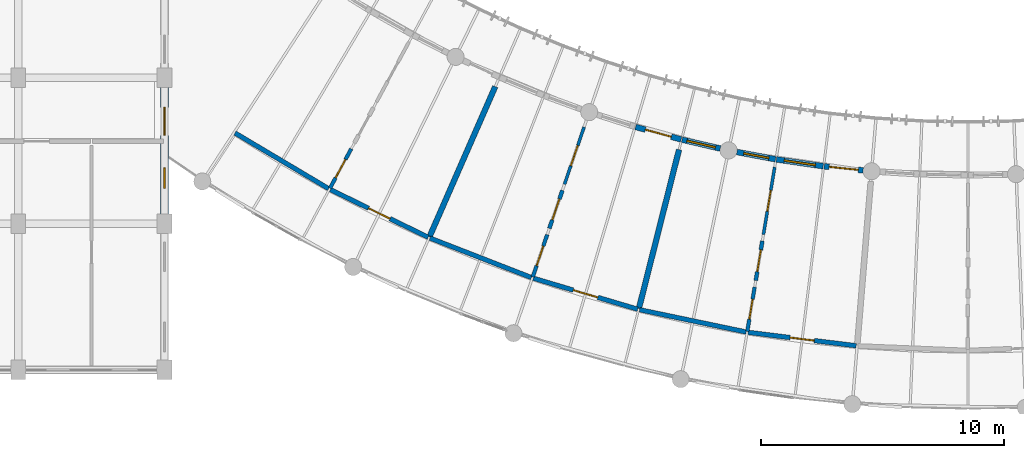
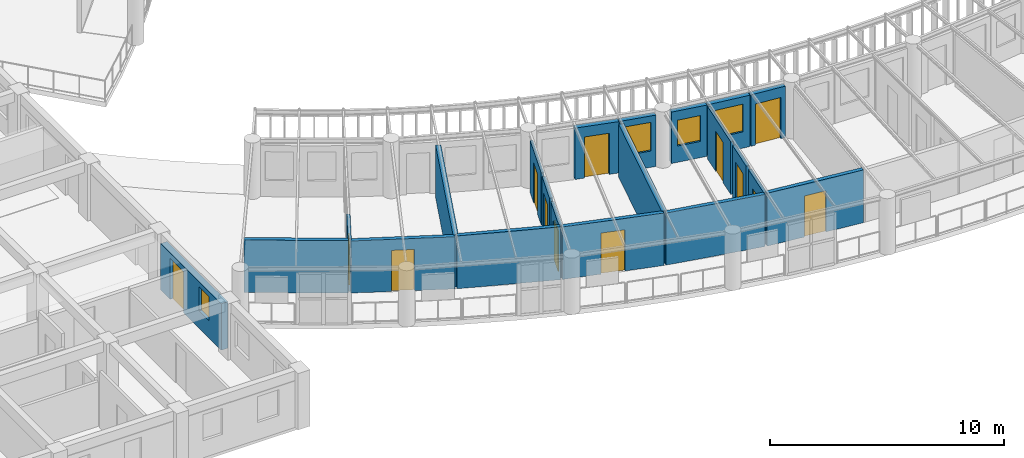
# One storey, part 89 of 137: 21 walls, 13 doors, 4 windows, 17 openings.
"""IFC4 building model written with IfcOpenShell, lengths in metres."""

from ifc_helpers import new_model, si_unit, direction, frame, frame_2d, origin, place, context, subcontext, project, spatial, rectangle, extrude, material, layer, layer_set, type_object, element, fill, save


model = new_model("IFC4")

# Units and contexts
model_context = context("Model", 3, precision=1e-05, world=origin(), true_north=direction((0.0, 1.0)))
body_context = subcontext(model_context, "Body", "Model", "MODEL_VIEW")
ifc_project = project(units=[si_unit("LENGTHUNIT", "METRE"), si_unit("AREAUNIT", "SQUARE_METRE"), si_unit("VOLUMEUNIT", "CUBIC_METRE"), si_unit("PLANEANGLEUNIT", "RADIAN"), si_unit("MASSUNIT", "GRAM", prefix="KILO"), si_unit("POWERUNIT", "WATT"), si_unit("THERMODYNAMICTEMPERATUREUNIT", "KELVIN")], contexts=[model_context])

# Site, building, storey
site_placement = place(None, origin())
site = spatial("IfcSite", under=ifc_project, at=site_placement, CompositionType="ELEMENT")
building_placement = place(site_placement, origin())
building = spatial("IfcBuilding", under=site, at=building_placement, Name="Ruvembo Vaulted Housing Court", CompositionType="ELEMENT")
storey_placement = place(building_placement, frame((0.0, 0.0, 4.5)))
storey = spatial("IfcBuildingStorey", under=building, at=storey_placement, Name="L01", CompositionType="ELEMENT", Elevation=4.5)

# Wall
ifc_material_1 = material(Name="Concrete Blockwork 190", Category="masonry")
ifc_layer_1 = layer(ifc_material_1, 0.18994140625, Name="Concrete Blockwork 190")
ifc_layer_set_1 = layer_set([ifc_layer_1], Name="Concrete Blockwork 190")
wall_type_1 = type_object("IfcWallType", Name="WL-CORR-190", PredefinedType="SOLIDWALL", material=ifc_layer_set_1)
wall_1_placement = place(storey_placement, frame((38.89697265625, 15.732666015625, 0.0), z_axis=(0.0, 0.0, 1.0), x_axis=(0.859614290038, -0.510943511909, 0.0)))
element("IfcWall", 1, at=wall_1_placement, inside=storey, type_object=wall_type_1, Name="L01 Suite SC2-L01-U1 Gallery Wall WL-INT-L01-00399", PredefinedType="SOLIDWALL", context=body_context, shape_type="SweptSolid", body=[
    extrude(rectangle(XDim=4.472900390625, YDim=0.18994140625, at=frame_2d((2.236328125, 0.0))), origin(), (0.0, 0.0, 1.0), 2.741943359375),
])

# Wall, opening, door
wall_2_placement = place(storey_placement, frame((42.8125, 13.4091796875, 0.0), z_axis=(0.0, 0.0, 1.0), x_axis=(0.898794149603, -0.438370934985, 0.0)))
wall_2 = element("IfcWall", 2, at=wall_2_placement, inside=storey, type_object=wall_type_1, Name="L01 Suite SC2-L01-U1 Entrance WL-INT-L01-00400", PredefinedType="SOLIDWALL", context=body_context, shape_type="SweptSolid", body=[
    extrude(rectangle(XDim=4.47265625, YDim=0.18994140625, at=frame_2d((2.236328125, 0.0))), origin(), (0.0, 0.0, 1.0), 2.721923828125),
])
opening_1_placement = place(wall_2_placement, frame((1.74658203125, 0.0, 0.0)))
opening_1 = element("IfcOpeningElement", 3, at=opening_1_placement, cuts=wall_2, Name="Opening FD2", PredefinedType="OPENING", context=body_context, shape_type="SweptSolid", body=[
    extrude(rectangle(XDim=0.97998046875, YDim=2.14990234375, at=frame_2d((0.489990234375, 1.074951171875))), frame((0.0, 0.10498046875, 0.0), z_axis=(0.0, -1.0, 0.0), x_axis=(1.0, 0.0, 0.0)), (0.0, 0.0, 1.0), 0.2099609375),
])
ifc_material_2 = material(Name="FSC Hardwood and Engineered Timber", Category="wood")
door_type_1 = type_object("IfcDoorType", Name="DR-FLAT-0980x2150", OperationType="NOTDEFINED", PredefinedType="DOOR", material=ifc_material_2)
door_1_placement = place(opening_1_placement, origin())
door_1 = element("IfcDoor", 4, at=door_1_placement, inside=storey, type_object=door_type_1, Name="L01 Suite SC2-L01-U1 Entrance Door DR-INT-L01-00208", OperationType="SINGLE_SWING_RIGHT", OverallHeight=2.14990234375, OverallWidth=0.97998046875, PredefinedType="DOOR", context=body_context, shape_type="SweptSolid", body=[
    extrude(rectangle(XDim=0.97998046875, YDim=2.14990234375, at=frame_2d((0.489990234375, 1.074951171875))), frame((0.0, 0.02490234375, 0.0), z_axis=(0.0, -1.0, 0.0), x_axis=(1.0, 0.0, 0.0)), (0.0, 0.0, 1.0), 0.050048828125),
])
fill(opening_1, door_1)

# Wall
wall_3_placement = place(storey_placement, frame((46.906005859375, 11.41650390625, 0.0), z_axis=(0.0, 0.0, 1.0), x_axis=(0.931847867525, -0.362849213571, 0.0)))
element("IfcWall", 5, at=wall_3_placement, inside=storey, type_object=wall_type_1, Name="L01 Suite SC2-L01-U2 Gallery Wall WL-INT-L01-00405", PredefinedType="SOLIDWALL", context=body_context, shape_type="SweptSolid", body=[
    extrude(rectangle(XDim=4.47314453125, YDim=0.18994140625, at=frame_2d((2.236572265625, 0.0))), origin(), (0.0, 0.0, 1.0), 2.761962890625),
])

# Wall, opening, door
wall_4_placement = place(storey_placement, frame((51.14990234375, 9.767578125, 0.0), z_axis=(0.0, 0.0, 1.0), x_axis=(0.958602413557, -0.28474798107, 0.0)))
wall_4 = element("IfcWall", 6, at=wall_4_placement, inside=storey, type_object=wall_type_1, Name="L01 Suite SC2-L01-U2 Entrance WL-INT-L01-00406", PredefinedType="SOLIDWALL", context=body_context, shape_type="SweptSolid", body=[
    extrude(rectangle(XDim=4.472900390625, YDim=0.18994140625, at=frame_2d((2.236328125, 0.0))), origin(), (0.0, 0.0, 1.0), 2.741943359375),
])
opening_2_placement = place(wall_4_placement, frame((1.71142578125, 0.0, 0.0)))
opening_2 = element("IfcOpeningElement", 7, at=opening_2_placement, cuts=wall_4, Name="Opening FD3", PredefinedType="OPENING", context=body_context, shape_type="SweptSolid", body=[
    extrude(rectangle(XDim=1.050048828125, YDim=2.14990234375, at=frame_2d((0.52490234375, 1.074951171875))), frame((0.0, 0.10498046875, 0.0), z_axis=(0.0, -1.0, 0.0), x_axis=(1.0, 0.0, 0.0)), (0.0, 0.0, 1.0), 0.2099609375),
])
door_type_2 = type_object("IfcDoorType", Name="DR-FLAT-1050x2150", OperationType="NOTDEFINED", PredefinedType="DOOR", material=ifc_material_2)
door_2_placement = place(opening_2_placement, origin())
door_2 = element("IfcDoor", 8, at=door_2_placement, inside=storey, type_object=door_type_2, Name="L01 Suite SC2-L01-U2 Entrance Door DR-INT-L01-00212", OperationType="SINGLE_SWING_RIGHT", OverallHeight=2.14990234375, OverallWidth=1.050048828125, PredefinedType="DOOR", context=body_context, shape_type="SweptSolid", body=[
    extrude(rectangle(XDim=1.050048828125, YDim=2.14990234375, at=frame_2d((0.52490234375, 1.074951171875))), frame((0.0, 0.02490234375, 0.0), z_axis=(0.0, -1.0, 0.0), x_axis=(1.0, 0.0, 0.0)), (0.0, 0.0, 1.0), 0.050048828125),
])
fill(opening_2, door_2)

# Wall
wall_5_placement = place(storey_placement, frame((55.51513671875, 8.47412109375, 0.0), z_axis=(0.0, 0.0, 1.0), x_axis=(0.978806148413, -0.204788973894, 0.0)))
element("IfcWall", 9, at=wall_5_placement, inside=storey, type_object=wall_type_1, Name="L01 Suite SC2-L01-U3 Gallery Wall WL-INT-L01-00411", PredefinedType="SOLIDWALL", context=body_context, shape_type="SweptSolid", body=[
    extrude(rectangle(XDim=4.472900390625, YDim=0.18994140625, at=frame_2d((2.236328125, 0.0))), origin(), (0.0, 0.0, 1.0), 2.721923828125),
])

# Wall, opening, door
wall_6_placement = place(storey_placement, frame((59.97216796875, 7.544921875, 0.0), z_axis=(0.0, 0.0, 1.0), x_axis=(0.992349920368, -0.123457019023, 0.0)))
wall_6 = element("IfcWall", 10, at=wall_6_placement, inside=storey, type_object=wall_type_1, Name="L01 Suite SC2-L01-U3 Entrance WL-INT-L01-00412", PredefinedType="SOLIDWALL", context=body_context, shape_type="SweptSolid", body=[
    extrude(rectangle(XDim=4.47314453125, YDim=0.18994140625, at=frame_2d((2.236572265625, 0.0))), origin(), (0.0, 0.0, 1.0), 2.761962890625),
])
opening_3_placement = place(wall_6_placement, frame((1.736572265625, 0.0, 0.0)))
opening_3 = element("IfcOpeningElement", 11, at=opening_3_placement, cuts=wall_6, Name="Opening FD1", PredefinedType="OPENING", context=body_context, shape_type="SweptSolid", body=[
    extrude(rectangle(XDim=1.0, YDim=2.14990234375, at=frame_2d((0.5, 1.074951171875))), frame((0.0, 0.10498046875, 0.0), z_axis=(0.0, -1.0, 0.0), x_axis=(1.0, 0.0, 0.0)), (0.0, 0.0, 1.0), 0.2099609375),
])
door_type_3 = type_object("IfcDoorType", Name="DR-FLAT-1000x2150", OperationType="NOTDEFINED", PredefinedType="DOOR", material=ifc_material_2)
door_3_placement = place(opening_3_placement, origin())
door_3 = element("IfcDoor", 12, at=door_3_placement, inside=storey, type_object=door_type_3, Name="L01 Suite SC2-L01-U3 Entrance Door DR-INT-L01-00216", OperationType="SINGLE_SWING_RIGHT", OverallHeight=2.14990234375, OverallWidth=1.0, PredefinedType="DOOR", context=body_context, shape_type="SweptSolid", body=[
    extrude(rectangle(XDim=1.0, YDim=2.14990234375, at=frame_2d((0.5, 1.074951171875))), frame((0.0, 0.02490234375, 0.0), z_axis=(0.0, -1.0, 0.0), x_axis=(1.0, 0.0, 0.0)), (0.0, 0.0, 1.0), 0.050048828125),
])
fill(opening_3, door_3)

# Walls
ifc_material_3 = material(Name="Acoustic Masonry Demising 230", Category="masonry")
ifc_layer_2 = layer(ifc_material_3, 0.22998046875, Name="Acoustic Masonry Demising 230")
ifc_layer_set_2 = layer_set([ifc_layer_2], Name="Acoustic Masonry Demising 230")
wall_type_2 = type_object("IfcWallType", Name="WL-DEM-230", PredefinedType="SOLIDWALL", material=ifc_layer_set_2)
wall_7_placement = place(storey_placement, frame((49.585205078125, 17.638427734375, 0.0), z_axis=(0.0, 0.0, 1.0), x_axis=(-0.400932910895, -0.916107417807, 0.0)))
element("IfcWall", 13, at=wall_7_placement, inside=storey, type_object=wall_type_2, Name="L01 Suite SC2-L01-U1 Demising WL-INT-L01-00404", PredefinedType="SOLIDWALL", context=body_context, shape_type="SweptSolid", body=[
    extrude(rectangle(XDim=6.736083984375, YDim=0.22998046875, at=frame_2d((3.3681640625, 0.0))), origin(), (0.0, 0.0, 1.0), 2.741943359375),
])
wall_8_placement = place(storey_placement, frame((57.135986328125, 15.0517578125, 0.0), z_axis=(0.0, 0.0, 1.0), x_axis=(-0.244982481903, -0.969527505314, 0.0)))
element("IfcWall", 14, at=wall_8_placement, inside=storey, type_object=wall_type_2, Name="L01 Suite SC2-L01-U2 Demising WL-INT-L01-00410", PredefinedType="SOLIDWALL", context=body_context, shape_type="SweptSolid", body=[
    extrude(rectangle(XDim=6.73583984375, YDim=0.22998046875, at=frame_2d((3.367919921875, 0.0))), origin(), (0.0, 0.0, 1.0), 2.761962890625),
])

# Wall, opening, door
ifc_material_4 = material(Name="Rendered Masonry 235", Category="masonry")
ifc_layer_3 = layer(ifc_material_4, 0.235107421875, Name="Rendered Masonry 235")
ifc_layer_set_3 = layer_set([ifc_layer_3], Name="Rendered Masonry 235")
wall_type_3 = type_object("IfcWallType", Name="WL-EXT-235", PredefinedType="STANDARD", material=ifc_layer_set_3)
wall_9_placement = place(storey_placement, frame((55.35009765625, 15.982177734375, 0.0), z_axis=(0.0, 0.0, 1.0), x_axis=(0.964271323293, -0.264916619098, 0.0)))
wall_9 = element("IfcWall", 15, at=wall_9_placement, inside=storey, type_object=wall_type_3, Name="Scoop SC2 L01 Concave Balcony Wall 7", PredefinedType="STANDARD", context=body_context, shape_type="SweptSolid", body=[
    extrude(rectangle(XDim=1.93994140625, YDim=0.235107421875, at=frame_2d((0.969970703125, 0.0))), origin(), (0.0, 0.0, 1.0), 2.68408203125),
])
opening_4_placement = place(wall_9_placement, frame((0.419921875, 0.0, 0.0)))
opening_4 = element("IfcOpeningElement", 16, at=opening_4_placement, cuts=wall_9, Name="Opening BD3", PredefinedType="OPENING", context=body_context, shape_type="SweptSolid", body=[
    extrude(rectangle(XDim=1.10009765625, YDim=2.14990234375, at=frame_2d((0.550048828125, 1.074951171875))), frame((0.0, 0.12744140625, 0.0), z_axis=(0.0, -1.0, 0.0), x_axis=(1.0, 0.0, 0.0)), (0.0, 0.0, 1.0), 0.255126953125),
])
ifc_material_5 = material(Name="Thermally Broken Glazed Aluminium", Category="aluminium")
door_type_4 = type_object("IfcDoorType", Name="DR-BAL-1100x2150", OperationType="NOTDEFINED", PredefinedType="DOOR", material=ifc_material_5)
door_4_placement = place(opening_4_placement, origin())
door_4 = element("IfcDoor", 17, at=door_4_placement, inside=storey, type_object=door_type_4, Name="Scoop SC2 L01 Balcony Door 7", OperationType="SINGLE_SWING_LEFT", OverallHeight=2.14990234375, OverallWidth=1.10009765625, PredefinedType="DOOR", context=body_context, shape_type="SweptSolid", body=[
    extrude(rectangle(XDim=1.10009765625, YDim=2.14990234375, at=frame_2d((0.550048828125, 1.074951171875))), frame((0.0, 0.02490234375, 0.0), z_axis=(0.0, -1.0, 0.0), x_axis=(1.0, 0.0, 0.0)), (0.0, 0.0, 1.0), 0.050048828125),
])
fill(opening_4, door_4)

# Wall, opening, window
wall_10_placement = place(storey_placement, frame((57.259521484375, 15.45849609375, 0.0), z_axis=(0.0, 0.0, 1.0), x_axis=(0.974355406192, -0.225014538249, 0.0)))
wall_10 = element("IfcWall", 18, at=wall_10_placement, inside=storey, type_object=wall_type_3, Name="Scoop SC2 L01 Concave Balcony Wall 8", PredefinedType="STANDARD", context=body_context, shape_type="SweptSolid", body=[
    extrude(rectangle(XDim=1.610107421875, YDim=0.235107421875, at=frame_2d((0.80517578125, 0.0))), origin(), (0.0, 0.0, 1.0), 2.68408203125),
])
opening_5_placement = place(wall_10_placement, frame((0.205078125, 0.0, 0.85009765625)))
opening_5 = element("IfcOpeningElement", 19, at=opening_5_placement, cuts=wall_10, Name="Opening W14", PredefinedType="OPENING", context=body_context, shape_type="SweptSolid", body=[
    extrude(rectangle(XDim=1.199951171875, YDim=1.5, at=frame_2d((0.60009765625, 0.75))), frame((0.0, 0.12744140625, 0.0), z_axis=(0.0, -1.0, 0.0), x_axis=(1.0, 0.0, 0.0)), (0.0, 0.0, 1.0), 0.255126953125),
])
ifc_material_6 = material(Name="Double Solar-Control Glazing in Aluminium Frame", Category="aluminium")
window_type_1 = type_object("IfcWindowType", Name="WIN-1200x1500", PartitioningType="SINGLE_PANEL", PredefinedType="WINDOW", material=ifc_material_6)
window_1_placement = place(opening_5_placement, origin())
window_1 = element("IfcWindow", 20, at=window_1_placement, inside=storey, type_object=window_type_1, Name="Scoop SC2 L01 Concave Window 8", OverallHeight=1.5, OverallWidth=1.199951171875, PartitioningType="SINGLE_PANEL", PredefinedType="WINDOW", context=body_context, shape_type="SweptSolid", body=[
    extrude(rectangle(XDim=1.199951171875, YDim=1.5, at=frame_2d((0.60009765625, 0.75))), frame((0.0, 0.030029296875, 0.0), z_axis=(0.0, -1.0, 0.0), x_axis=(1.0, 0.0, 0.0)), (0.0, 0.0, 1.0), 0.06005859375),
])
fill(opening_5, window_1)

wall_11_placement = place(storey_placement, frame((59.51318359375, 14.952880859375, 0.0), z_axis=(0.0, 0.0, 1.0), x_axis=(0.982827529128, -0.184526550902, 0.0)))
wall_11 = element("IfcWall", 21, at=wall_11_placement, inside=storey, type_object=wall_type_3, Name="Scoop SC2 L01 Concave Balcony Wall 9", PredefinedType="STANDARD", context=body_context, shape_type="SweptSolid", body=[
    extrude(rectangle(XDim=1.610107421875, YDim=0.235107421875, at=frame_2d((0.80517578125, 0.0))), origin(), (0.0, 0.0, 1.0), 2.68408203125),
])
opening_6_placement = place(wall_11_placement, frame((0.280029296875, 0.0, 0.85009765625)))
opening_6 = element("IfcOpeningElement", 22, at=opening_6_placement, cuts=wall_11, Name="Opening W09", PredefinedType="OPENING", context=body_context, shape_type="SweptSolid", body=[
    extrude(rectangle(XDim=1.050048828125, YDim=1.35009765625, at=frame_2d((0.52490234375, 0.675048828125))), frame((0.0, 0.12744140625, 0.0), z_axis=(0.0, -1.0, 0.0), x_axis=(1.0, 0.0, 0.0)), (0.0, 0.0, 1.0), 0.255126953125),
])
window_type_2 = type_object("IfcWindowType", Name="WIN-1050x1350", PartitioningType="SINGLE_PANEL", PredefinedType="WINDOW", material=ifc_material_6)
window_2_placement = place(opening_6_placement, origin())
window_2 = element("IfcWindow", 23, at=window_2_placement, inside=storey, type_object=window_type_2, Name="Scoop SC2 L01 Concave Window 9", OverallHeight=1.35009765625, OverallWidth=1.050048828125, PartitioningType="SINGLE_PANEL", PredefinedType="WINDOW", context=body_context, shape_type="SweptSolid", body=[
    extrude(rectangle(XDim=1.050048828125, YDim=1.35009765625, at=frame_2d((0.52490234375, 0.675048828125))), frame((0.0, 0.030029296875, 0.0), z_axis=(0.0, -1.0, 0.0), x_axis=(1.0, 0.0, 0.0)), (0.0, 0.0, 1.0), 0.06005859375),
])
fill(opening_6, window_2)

wall_12_placement = place(storey_placement, frame((61.135009765625, 14.649169921875, 0.0), z_axis=(0.0, 0.0, 1.0), x_axis=(0.989601751146, -0.14383453733, 0.0)))
wall_12 = element("IfcWall", 24, at=wall_12_placement, inside=storey, type_object=wall_type_3, Name="Scoop SC2 L01 Concave Balcony Wall 10", PredefinedType="STANDARD", context=body_context, shape_type="SweptSolid", body=[
    extrude(rectangle(XDim=1.940185546875, YDim=0.235107421875, at=frame_2d((0.97021484375, 0.0))), origin(), (0.0, 0.0, 1.0), 2.68408203125),
])
opening_7_placement = place(wall_12_placement, frame((0.320068359375, 0.0, 0.85009765625)))
opening_7 = element("IfcOpeningElement", 25, at=opening_7_placement, cuts=wall_12, Name="Opening W15", PredefinedType="OPENING", context=body_context, shape_type="SweptSolid", body=[
    extrude(rectangle(XDim=1.300048828125, YDim=1.449951171875, at=frame_2d((0.64990234375, 0.72509765625))), frame((0.0, 0.12744140625, 0.0), z_axis=(0.0, -1.0, 0.0), x_axis=(1.0, 0.0, 0.0)), (0.0, 0.0, 1.0), 0.255126953125),
])
window_type_3 = type_object("IfcWindowType", Name="WIN-1300x1450", PartitioningType="SINGLE_PANEL", PredefinedType="WINDOW", material=ifc_material_6)
window_3_placement = place(opening_7_placement, origin())
window_3 = element("IfcWindow", 26, at=window_3_placement, inside=storey, type_object=window_type_3, Name="Scoop SC2 L01 Concave Window 10", OverallHeight=1.449951171875, OverallWidth=1.300048828125, PartitioningType="SINGLE_PANEL", PredefinedType="WINDOW", context=body_context, shape_type="SweptSolid", body=[
    extrude(rectangle(XDim=1.300048828125, YDim=1.449951171875, at=frame_2d((0.64990234375, 0.72509765625))), frame((0.0, 0.030029296875, 0.0), z_axis=(0.0, -1.0, 0.0), x_axis=(1.0, 0.0, 0.0)), (0.0, 0.0, 1.0), 0.06005859375),
])
fill(opening_7, window_3)

# Wall, opening, door
wall_13_placement = place(storey_placement, frame((63.094482421875, 14.364990234375, 0.0), z_axis=(0.0, 0.0, 1.0), x_axis=(0.994685905428, -0.10295605637, 0.0)))
wall_13 = element("IfcWall", 27, at=wall_13_placement, inside=storey, type_object=wall_type_3, Name="Scoop SC2 L01 Concave Balcony Wall 11", PredefinedType="STANDARD", context=body_context, shape_type="SweptSolid", body=[
    extrude(rectangle(XDim=1.610107421875, YDim=0.235107421875, at=frame_2d((0.80517578125, 0.0))), origin(), (0.0, 0.0, 1.0), 2.68408203125),
])
opening_8_placement = place(wall_13_placement, frame((0.205078125, 0.0, 0.0)))
opening_8 = element("IfcOpeningElement", 28, at=opening_8_placement, cuts=wall_13, Name="Opening BD2", PredefinedType="OPENING", context=body_context, shape_type="SweptSolid", body=[
    extrude(rectangle(XDim=1.199951171875, YDim=2.14990234375, at=frame_2d((0.60009765625, 1.074951171875))), frame((0.0, 0.12744140625, 0.0), z_axis=(0.0, -1.0, 0.0), x_axis=(1.0, 0.0, 0.0)), (0.0, 0.0, 1.0), 0.255126953125),
])
door_type_5 = type_object("IfcDoorType", Name="DR-BAL-1200x2150", OperationType="NOTDEFINED", PredefinedType="DOOR", material=ifc_material_5)
door_5_placement = place(opening_8_placement, origin())
door_5 = element("IfcDoor", 29, at=door_5_placement, inside=storey, type_object=door_type_5, Name="Scoop SC2 L01 Balcony Door 11", OperationType="SINGLE_SWING_RIGHT", OverallHeight=2.14990234375, OverallWidth=1.199951171875, PredefinedType="DOOR", context=body_context, shape_type="SweptSolid", body=[
    extrude(rectangle(XDim=1.199951171875, YDim=2.14990234375, at=frame_2d((0.60009765625, 1.074951171875))), frame((0.0, 0.02490234375, 0.0), z_axis=(0.0, -1.0, 0.0), x_axis=(1.0, 0.0, 0.0)), (0.0, 0.0, 1.0), 0.050048828125),
])
fill(opening_8, door_5)

# Wall, openings, door, window
ifc_material_7 = material(Name="Rendered Masonry 320", Category="masonry")
ifc_layer_4 = layer(ifc_material_7, 0.320068359375, Name="Rendered Masonry 320")
ifc_layer_set_4 = layer_set([ifc_layer_4], Name="Rendered Masonry 320")
wall_type_4 = type_object("IfcWallType", Name="WL-EXT-320", PredefinedType="STANDARD", material=ifc_layer_set_4)
wall_14_placement = place(storey_placement, frame((36.0, 12.39990234375, 0.0), z_axis=(0.0, 0.0, 1.0), x_axis=(0.0, 1.0, 0.0)))
wall_14 = element("IfcWall", 30, at=wall_14_placement, inside=storey, type_object=wall_type_4, Name="Block A L01 Exterior Wall EAST #2", PredefinedType="STANDARD", context=body_context, shape_type="SweptSolid", body=[
    extrude(rectangle(XDim=5.2001953125, YDim=0.320068359375, at=frame_2d((2.60009765625, 0.0))), origin(), (0.0, 0.0, 1.0), 2.427001953125),
])
opening_9_placement = place(wall_14_placement, frame((3.239990234375, 0.0, 0.0)))
opening_9 = element("IfcOpeningElement", 31, at=opening_9_placement, cuts=wall_14, Name="Opening GD1", PredefinedType="OPENING", context=body_context, shape_type="SweptSolid", body=[
    extrude(rectangle(XDim=1.14990234375, YDim=2.14990234375, at=frame_2d((0.574951171875, 1.074951171875))), frame((0.0, 0.169921875, 0.0), z_axis=(0.0, -1.0, 0.0), x_axis=(1.0, 0.0, 0.0)), (0.0, 0.0, 1.0), 0.340087890625),
])
opening_10_placement = place(wall_14_placement, frame((1.054931640625, 0.0, 0.89990234375)))
opening_10 = element("IfcOpeningElement", 32, at=opening_10_placement, cuts=wall_14, Name="Opening W03", PredefinedType="OPENING", context=body_context, shape_type="SweptSolid", body=[
    extrude(rectangle(XDim=0.85009765625, YDim=1.25, at=frame_2d((0.425048828125, 0.625))), frame((0.0, 0.169921875, 0.0), z_axis=(0.0, -1.0, 0.0), x_axis=(1.0, 0.0, 0.0)), (0.0, 0.0, 1.0), 0.340087890625),
])
door_type_6 = type_object("IfcDoorType", Name="DR-GAL-1150x2150", OperationType="NOTDEFINED", PredefinedType="DOOR", material=ifc_material_5)
door_6_placement = place(opening_9_placement, frame((1.14990234375, 0.0, 0.0), z_axis=(0.0, 0.0, 1.0), x_axis=(-1.0, 0.0, 0.0)))
door_6 = element("IfcDoor", 33, at=door_6_placement, inside=storey, type_object=door_type_6, Name="Block A L01 Terrace or Gallery Door DR-TER-A-L01-003", OperationType="SINGLE_SWING_RIGHT", OverallHeight=2.14990234375, OverallWidth=1.14990234375, PredefinedType="DOOR", context=body_context, shape_type="SweptSolid", body=[
    extrude(rectangle(XDim=1.14990234375, YDim=2.14990234375, at=frame_2d((0.574951171875, 1.074951171875))), frame((0.0, 0.02490234375, 0.0), z_axis=(0.0, -1.0, 0.0), x_axis=(1.0, 0.0, 0.0)), (0.0, 0.0, 1.0), 0.050048828125),
])
fill(opening_9, door_6)
window_type_4 = type_object("IfcWindowType", Name="WIN-0850x1250", PartitioningType="SINGLE_PANEL", PredefinedType="WINDOW", material=ifc_material_6)
window_4_placement = place(opening_10_placement, origin())
window_4 = element("IfcWindow", 34, at=window_4_placement, inside=storey, type_object=window_type_4, Name="Block A L01 Window #55", OverallHeight=1.25, OverallWidth=0.85009765625, PartitioningType="SINGLE_PANEL", PredefinedType="WINDOW", context=body_context, shape_type="SweptSolid", body=[
    extrude(rectangle(XDim=0.85009765625, YDim=1.25, at=frame_2d((0.425048828125, 0.625))), frame((0.0, 0.030029296875, 0.0), z_axis=(0.0, -1.0, 0.0), x_axis=(1.0, 0.0, 0.0)), (0.0, 0.0, 1.0), 0.06005859375),
])
fill(opening_10, window_4)

# Wall, opening, door
ifc_material_8 = material(Name="Plasterboard Stud Partition 125", Category="gypsum")
ifc_layer_5 = layer(ifc_material_8, 0.125, Name="Plasterboard Stud Partition 125")
ifc_layer_set_5 = layer_set([ifc_layer_5], Name="Plasterboard Stud Partition 125")
wall_type_5 = type_object("IfcWallType", Name="WL-PART-125", PredefinedType="PARTITIONING", material=ifc_layer_set_5)
wall_15_placement = place(storey_placement, frame((53.23486328125, 15.977294921875, 0.0), z_axis=(0.0, 0.0, 1.0), x_axis=(-0.324072633759, -0.946032202437, 0.0)))
wall_15 = element("IfcWall", 35, at=wall_15_placement, inside=storey, type_object=wall_type_5, Name="L01 Suite SC2-L01-U2 Bedroom WL-INT-L01-00407", PredefinedType="PARTITIONING", context=body_context, shape_type="SweptSolid", body=[
    extrude(rectangle(XDim=2.47998046875, YDim=0.125, at=frame_2d((1.239990234375, 0.0))), origin(), (0.0, 0.0, 1.0), 2.721923828125),
])
opening_11_placement = place(wall_15_placement, frame((0.800048828125, 0.0, 0.0)))
opening_11 = element("IfcOpeningElement", 36, at=opening_11_placement, cuts=wall_15, Name="Opening ID3", PredefinedType="OPENING", context=body_context, shape_type="SweptSolid", body=[
    extrude(rectangle(XDim=0.8798828125, YDim=2.10009765625, at=frame_2d((0.43994140625, 1.050048828125))), frame((0.0, 0.072509765625, 0.0), z_axis=(0.0, -1.0, 0.0), x_axis=(1.0, 0.0, 0.0)), (0.0, 0.0, 1.0), 0.14501953125),
])
door_type_7 = type_object("IfcDoorType", Name="DR-ROOM-0880x2100", OperationType="NOTDEFINED", PredefinedType="DOOR", material=ifc_material_2)
door_7_placement = place(opening_11_placement, origin())
door_7 = element("IfcDoor", 37, at=door_7_placement, inside=storey, type_object=door_type_7, Name="L01 Suite SC2-L01-U2 Bedroom Door DR-INT-L01-00213", OperationType="SINGLE_SWING_LEFT", OverallHeight=2.10009765625, OverallWidth=0.8798828125, PredefinedType="DOOR", context=body_context, shape_type="SweptSolid", body=[
    extrude(rectangle(XDim=0.8798828125, YDim=2.10009765625, at=frame_2d((0.43994140625, 1.050048828125))), frame((0.0, 0.02490234375, 0.0), z_axis=(0.0, -1.0, 0.0), x_axis=(1.0, 0.0, 0.0)), (0.0, 0.0, 1.0), 0.050048828125),
])
fill(opening_11, door_7)

wall_16_placement = place(storey_placement, frame((61.061279296875, 14.328369140625, 0.0), z_axis=(0.0, 0.0, 1.0), x_axis=(-0.164186889233, -0.986429250075, 0.0)))
wall_16 = element("IfcWall", 38, at=wall_16_placement, inside=storey, type_object=wall_type_5, Name="L01 Suite SC2-L01-U3 Bedroom WL-INT-L01-00413", PredefinedType="PARTITIONING", context=body_context, shape_type="SweptSolid", body=[
    extrude(rectangle(XDim=2.800048828125, YDim=0.125, at=frame_2d((1.39990234375, 0.0))), origin(), (0.0, 0.0, 1.0), 2.741943359375),
])
opening_12_placement = place(wall_16_placement, frame((0.9599609375, 0.0, 0.0)))
opening_12 = element("IfcOpeningElement", 39, at=opening_12_placement, cuts=wall_16, Name="Opening ID3", PredefinedType="OPENING", context=body_context, shape_type="SweptSolid", body=[
    extrude(rectangle(XDim=0.8798828125, YDim=2.10009765625, at=frame_2d((0.43994140625, 1.050048828125))), frame((0.0, 0.072509765625, 0.0), z_axis=(0.0, -1.0, 0.0), x_axis=(1.0, 0.0, 0.0)), (0.0, 0.0, 1.0), 0.14501953125),
])
door_8_placement = place(opening_12_placement, origin())
door_8 = element("IfcDoor", 40, at=door_8_placement, inside=storey, type_object=door_type_7, Name="L01 Suite SC2-L01-U3 Bedroom Door DR-INT-L01-00217", OperationType="SINGLE_SWING_LEFT", OverallHeight=2.10009765625, OverallWidth=0.8798828125, PredefinedType="DOOR", context=body_context, shape_type="SweptSolid", body=[
    extrude(rectangle(XDim=0.8798828125, YDim=2.10009765625, at=frame_2d((0.43994140625, 1.050048828125))), frame((0.0, 0.02490234375, 0.0), z_axis=(0.0, -1.0, 0.0), x_axis=(1.0, 0.0, 0.0)), (0.0, 0.0, 1.0), 0.050048828125),
])
fill(opening_12, door_8)

ifc_material_9 = material(Name="Moisture-Resistant Wet Partition 150", Category="gypsum")
ifc_layer_6 = layer(ifc_material_9, 0.14990234375, Name="Moisture-Resistant Wet Partition 150")
ifc_layer_set_6 = layer_set([ifc_layer_6], Name="Moisture-Resistant Wet Partition 150")
wall_type_6 = type_object("IfcWallType", Name="WL-PART-150", PredefinedType="PARTITIONING", material=ifc_layer_set_6)
wall_17_placement = place(storey_placement, frame((43.66943359375, 15.0810546875, 0.0), z_axis=(0.0, 0.0, 1.0), x_axis=(-0.475017414672, -0.879976395001, 0.0)))
wall_17 = element("IfcWall", 41, at=wall_17_placement, inside=storey, type_object=wall_type_6, Name="L01 Suite SC2-L01-U1 Bathroom WL-INT-L01-00403", PredefinedType="PARTITIONING", context=body_context, shape_type="SweptSolid", body=[
    extrude(rectangle(XDim=1.840087890625, YDim=0.14990234375, at=frame_2d((0.919921875, 0.0))), origin(), (0.0, 0.0, 1.0), 2.761962890625),
])
opening_13_placement = place(wall_17_placement, frame((0.4951171875, 0.0, 0.0)))
opening_13 = element("IfcOpeningElement", 42, at=opening_13_placement, cuts=wall_17, Name="Opening ID2", PredefinedType="OPENING", context=body_context, shape_type="SweptSolid", body=[
    extrude(rectangle(XDim=0.85009765625, YDim=2.10009765625, at=frame_2d((0.425048828125, 1.050048828125))), frame((0.0, 0.0849609375, 0.0), z_axis=(0.0, -1.0, 0.0), x_axis=(1.0, 0.0, 0.0)), (0.0, 0.0, 1.0), 0.169921875),
])
door_type_8 = type_object("IfcDoorType", Name="DR-WET-0850x2100", OperationType="NOTDEFINED", PredefinedType="DOOR", material=ifc_material_2)
door_9_placement = place(opening_13_placement, origin())
door_9 = element("IfcDoor", 43, at=door_9_placement, inside=storey, type_object=door_type_8, Name="L01 Suite SC2-L01-U1 Bathroom Door DR-INT-L01-00211", OperationType="SINGLE_SWING_LEFT", OverallHeight=2.10009765625, OverallWidth=0.85009765625, PredefinedType="DOOR", context=body_context, shape_type="SweptSolid", body=[
    extrude(rectangle(XDim=0.85009765625, YDim=2.10009765625, at=frame_2d((0.425048828125, 1.050048828125))), frame((0.0, 0.02490234375, 0.0), z_axis=(0.0, -1.0, 0.0), x_axis=(1.0, 0.0, 0.0)), (0.0, 0.0, 1.0), 0.050048828125),
])
fill(opening_13, door_9)

wall_18_placement = place(storey_placement, frame((51.720703125, 11.5576171875, 0.0), z_axis=(0.0, 0.0, 1.0), x_axis=(-0.323978335312, -0.946064500046, 0.0)))
wall_18 = element("IfcWall", 44, at=wall_18_placement, inside=storey, type_object=wall_type_6, Name="L01 Suite SC2-L01-U2 Bathroom WL-INT-L01-00409", PredefinedType="PARTITIONING", context=body_context, shape_type="SweptSolid", body=[
    extrude(rectangle(XDim=1.84033203125, YDim=0.14990234375, at=frame_2d((0.920166015625, 0.0))), origin(), (0.0, 0.0, 1.0), 2.721923828125),
])
opening_14_placement = place(wall_18_placement, frame((0.4951171875, 0.0, 0.0)))
opening_14 = element("IfcOpeningElement", 45, at=opening_14_placement, cuts=wall_18, Name="Opening ID2", PredefinedType="OPENING", context=body_context, shape_type="SweptSolid", body=[
    extrude(rectangle(XDim=0.85009765625, YDim=2.10009765625, at=frame_2d((0.425048828125, 1.050048828125))), frame((0.0, 0.0849609375, 0.0), z_axis=(0.0, -1.0, 0.0), x_axis=(1.0, 0.0, 0.0)), (0.0, 0.0, 1.0), 0.169921875),
])
door_10_placement = place(opening_14_placement, origin())
door_10 = element("IfcDoor", 46, at=door_10_placement, inside=storey, type_object=door_type_8, Name="L01 Suite SC2-L01-U2 Bathroom Door DR-INT-L01-00215", OperationType="SINGLE_SWING_LEFT", OverallHeight=2.10009765625, OverallWidth=0.85009765625, PredefinedType="DOOR", context=body_context, shape_type="SweptSolid", body=[
    extrude(rectangle(XDim=0.85009765625, YDim=2.10009765625, at=frame_2d((0.425048828125, 1.050048828125))), frame((0.0, 0.02490234375, 0.0), z_axis=(0.0, -1.0, 0.0), x_axis=(1.0, 0.0, 0.0)), (0.0, 0.0, 1.0), 0.050048828125),
])
fill(opening_14, door_10)

wall_19_placement = place(storey_placement, frame((60.2412109375, 9.404296875, 0.0), z_axis=(0.0, 0.0, 1.0), x_axis=(-0.16414076901, -0.986436925479, 0.0)))
wall_19 = element("IfcWall", 47, at=wall_19_placement, inside=storey, type_object=wall_type_6, Name="L01 Suite SC2-L01-U3 Bathroom WL-INT-L01-00415", PredefinedType="PARTITIONING", context=body_context, shape_type="SweptSolid", body=[
    extrude(rectangle(XDim=1.83984375, YDim=0.14990234375, at=frame_2d((0.919921875, 0.0))), origin(), (0.0, 0.0, 1.0), 2.741943359375),
])
opening_15_placement = place(wall_19_placement, frame((0.510009765625, 0.0, 0.0)))
opening_15 = element("IfcOpeningElement", 48, at=opening_15_placement, cuts=wall_19, Name="Opening ID4", PredefinedType="OPENING", context=body_context, shape_type="SweptSolid", body=[
    extrude(rectangle(XDim=0.820068359375, YDim=2.080078125, at=frame_2d((0.41015625, 1.0400390625))), frame((0.0, 0.0849609375, 0.0), z_axis=(0.0, -1.0, 0.0), x_axis=(1.0, 0.0, 0.0)), (0.0, 0.0, 1.0), 0.169921875),
])
door_type_9 = type_object("IfcDoorType", Name="DR-WET-0820x2080", OperationType="NOTDEFINED", PredefinedType="DOOR", material=ifc_material_2)
door_11_placement = place(opening_15_placement, origin())
door_11 = element("IfcDoor", 49, at=door_11_placement, inside=storey, type_object=door_type_9, Name="L01 Suite SC2-L01-U3 Bathroom Door DR-INT-L01-00219", OperationType="SINGLE_SWING_LEFT", OverallHeight=2.080078125, OverallWidth=0.820068359375, PredefinedType="DOOR", context=body_context, shape_type="SweptSolid", body=[
    extrude(rectangle(XDim=0.820068359375, YDim=2.080078125, at=frame_2d((0.41015625, 1.0400390625))), frame((0.0, 0.02490234375, 0.0), z_axis=(0.0, -1.0, 0.0), x_axis=(1.0, 0.0, 0.0)), (0.0, 0.0, 1.0), 0.050048828125),
])
fill(opening_15, door_11)

ifc_material_10 = material(Name="Acoustic Service Chase Wall 160", Category="gypsum")
ifc_layer_7 = layer(ifc_material_10, 0.159912109375, Name="Acoustic Service Chase Wall 160")
ifc_layer_set_7 = layer_set([ifc_layer_7], Name="Acoustic Service Chase Wall 160")
wall_type_7 = type_object("IfcWallType", Name="WL-PLUMB-160", PredefinedType="PLUMBINGWALL", material=ifc_layer_set_7)
wall_20_placement = place(storey_placement, frame((52.343017578125, 13.373779296875, 0.0), z_axis=(0.0, 0.0, 1.0), x_axis=(-0.324127376206, -0.946013448104, 0.0)))
wall_20 = element("IfcWall", 50, at=wall_20_placement, inside=storey, type_object=wall_type_7, Name="L01 Suite SC2-L01-U2 Kitchen WL-INT-L01-00408", PredefinedType="PLUMBINGWALL", context=body_context, shape_type="SweptSolid", body=[
    extrude(rectangle(XDim=1.64794921875, YDim=0.159912109375, at=frame_2d((0.823974609375, 0.0))), origin(), (0.0, 0.0, 1.0), 2.721923828125),
])
opening_16_placement = place(wall_20_placement, frame((0.3740234375, 0.0, 0.0)))
opening_16 = element("IfcOpeningElement", 51, at=opening_16_placement, cuts=wall_20, Name="Opening ID1", PredefinedType="OPENING", context=body_context, shape_type="SweptSolid", body=[
    extrude(rectangle(XDim=0.89990234375, YDim=2.10009765625, at=frame_2d((0.449951171875, 1.050048828125))), frame((0.0, 0.08984375, 0.0), z_axis=(0.0, -1.0, 0.0), x_axis=(1.0, 0.0, 0.0)), (0.0, 0.0, 1.0), 0.179931640625),
])
door_type_10 = type_object("IfcDoorType", Name="DR-ROOM-0900x2100", OperationType="NOTDEFINED", PredefinedType="DOOR", material=ifc_material_2)
door_12_placement = place(opening_16_placement, origin())
door_12 = element("IfcDoor", 52, at=door_12_placement, inside=storey, type_object=door_type_10, Name="L01 Suite SC2-L01-U2 Kitchen Door DR-INT-L01-00214", OperationType="SINGLE_SWING_RIGHT", OverallHeight=2.10009765625, OverallWidth=0.89990234375, PredefinedType="DOOR", context=body_context, shape_type="SweptSolid", body=[
    extrude(rectangle(XDim=0.89990234375, YDim=2.10009765625, at=frame_2d((0.449951171875, 1.050048828125))), frame((0.0, 0.02490234375, 0.0), z_axis=(0.0, -1.0, 0.0), x_axis=(1.0, 0.0, 0.0)), (0.0, 0.0, 1.0), 0.050048828125),
])
fill(opening_16, door_12)

wall_21_placement = place(storey_placement, frame((60.556640625, 11.298095703125, 0.0), z_axis=(0.0, 0.0, 1.0), x_axis=(-0.164158726706, -0.986433937193, 0.0)))
wall_21 = element("IfcWall", 53, at=wall_21_placement, inside=storey, type_object=wall_type_7, Name="L01 Suite SC2-L01-U3 Kitchen WL-INT-L01-00414", PredefinedType="PLUMBINGWALL", context=body_context, shape_type="SweptSolid", body=[
    extrude(rectangle(XDim=1.64794921875, YDim=0.159912109375, at=frame_2d((0.823974609375, 0.0))), origin(), (0.0, 0.0, 1.0), 2.741943359375),
])
opening_17_placement = place(wall_21_placement, frame((0.373779296875, 0.0, 0.0)))
opening_17 = element("IfcOpeningElement", 54, at=opening_17_placement, cuts=wall_21, Name="Opening ID1", PredefinedType="OPENING", context=body_context, shape_type="SweptSolid", body=[
    extrude(rectangle(XDim=0.89990234375, YDim=2.10009765625, at=frame_2d((0.449951171875, 1.050048828125))), frame((0.0, 0.08984375, 0.0), z_axis=(0.0, -1.0, 0.0), x_axis=(1.0, 0.0, 0.0)), (0.0, 0.0, 1.0), 0.179931640625),
])
door_13_placement = place(opening_17_placement, origin())
door_13 = element("IfcDoor", 55, at=door_13_placement, inside=storey, type_object=door_type_10, Name="L01 Suite SC2-L01-U3 Kitchen Door DR-INT-L01-00218", OperationType="SINGLE_SWING_RIGHT", OverallHeight=2.10009765625, OverallWidth=0.89990234375, PredefinedType="DOOR", context=body_context, shape_type="SweptSolid", body=[
    extrude(rectangle(XDim=0.89990234375, YDim=2.10009765625, at=frame_2d((0.449951171875, 1.050048828125))), frame((0.0, 0.02490234375, 0.0), z_axis=(0.0, -1.0, 0.0), x_axis=(1.0, 0.0, 0.0)), (0.0, 0.0, 1.0), 0.050048828125),
])
fill(opening_17, door_13)

save(model, "model.ifc")
